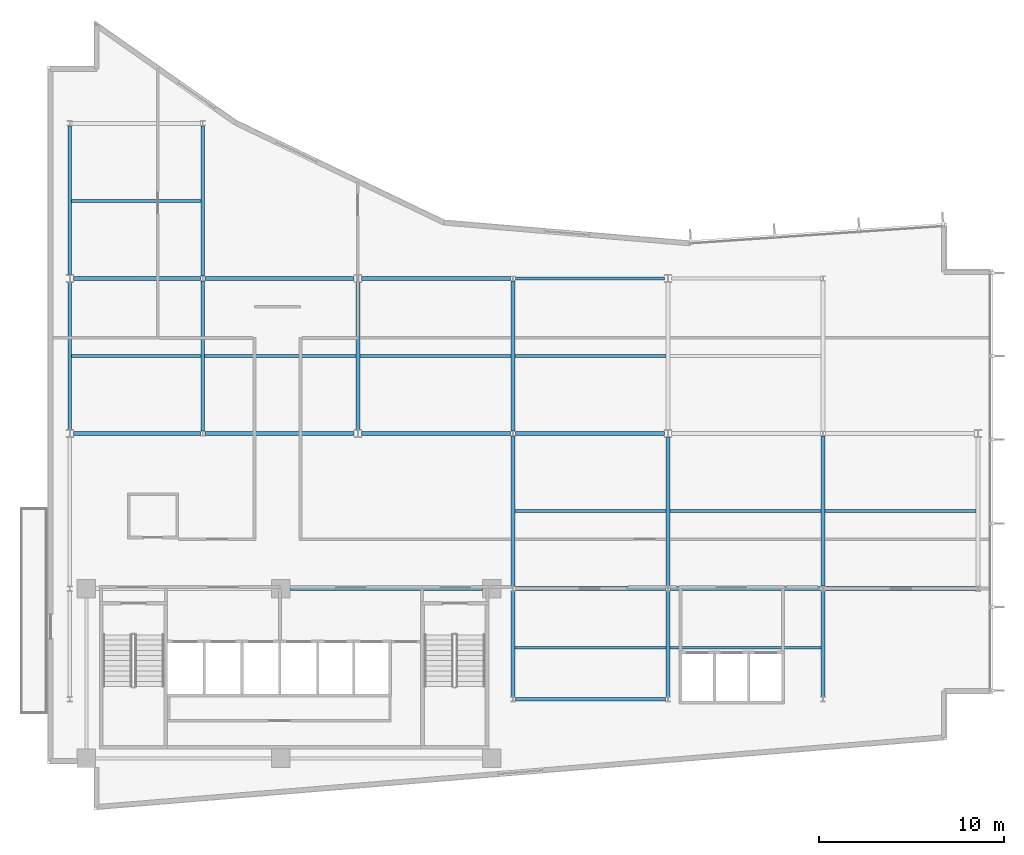
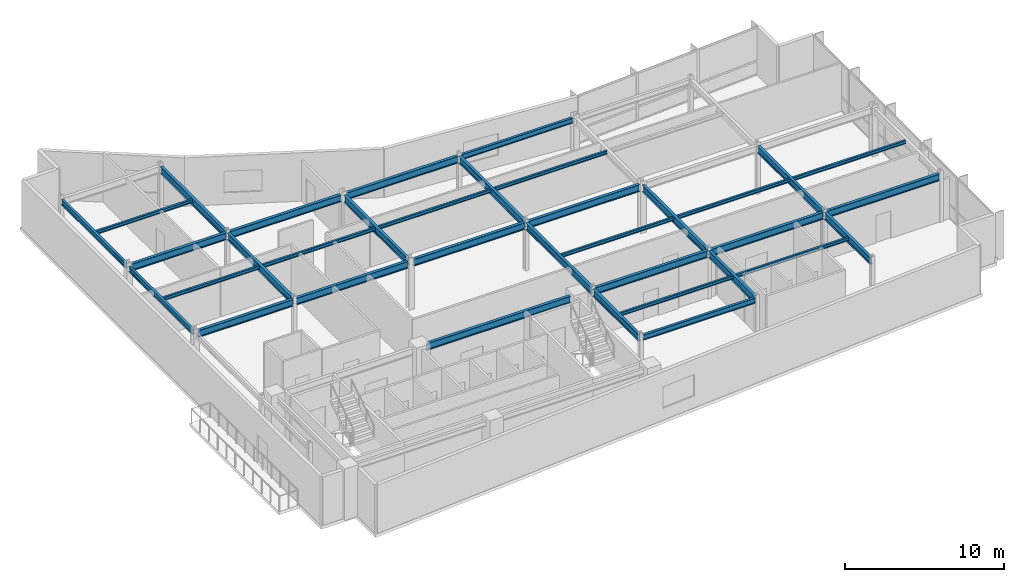
# One storey, part 4 of 16: 35 beams.
"""IFC4 building model written with IfcOpenShell, lengths in metres."""

from ifc_helpers import new_model, si_unit, direction, frame, origin, origin_2d, place, context, subcontext, project, spatial, i_section, extrude, material, material_profile, profile_set, type_object, element, save


model = new_model("IFC4")

# Units and contexts
model_context = context("Model", 3, precision=1e-05, world=origin(), true_north=direction((0.0, 1.0)))
body_context = subcontext(model_context, "Body", "Model", "MODEL_VIEW")
ifc_project = project(units=[si_unit("LENGTHUNIT", "METRE"), si_unit("AREAUNIT", "SQUARE_METRE"), si_unit("VOLUMEUNIT", "CUBIC_METRE"), si_unit("PLANEANGLEUNIT", "RADIAN"), si_unit("MASSUNIT", "GRAM", prefix="KILO")], contexts=[model_context])

# Site, building, storey
site_placement = place(None, origin())
site = spatial("IfcSite", under=ifc_project, at=site_placement, CompositionType="ELEMENT")
building_placement = place(site_placement, origin())
building = spatial("IfcBuilding", under=site, at=building_placement, Name="Varnakote Quay Hospital", CompositionType="ELEMENT")
storey_placement = place(building_placement, frame((0.0, 0.0, 180.25)))
storey = spatial("IfcBuildingStorey", under=building, at=storey_placement, Name="L44", CompositionType="ELEMENT", Elevation=180.25)

# Beams
ifc_material_1 = material(Name="Structural steel AS/NZS 3679.1 Grade 350 L0 (fy 340 MPa)", Category="steel")
ifc_material_profile_1 = material_profile(ifc_material_1, i_section(OverallWidth=0.208984375, OverallDepth=0.532958984375, WebThickness=0.01025390625, FlangeThickness=0.015625, FilletRadius=0.013916015625, at=origin_2d()), Name="530UB92.4")
ifc_profile_set_1 = profile_set([ifc_material_profile_1], Name="Structural steel AS/NZS 3679.1 Grade 350 L0 (fy 340 MPa)")
beam_type_1 = type_object("IfcBeamType", Name="BM-STL-530UB92-4", PredefinedType="BEAM", material=ifc_profile_set_1)
beam_1_placement = place(storey_placement, frame((13.1201171875, 12.0, 3.443603515625), z_axis=(1.0, 0.0, 0.0), x_axis=(0.0, 1.0, 0.0)))
element("IfcBeam", 1, at=beam_1_placement, inside=storey, type_object=beam_type_1, Name="L44 Primary Floor Beam", PredefinedType="BEAM", context=body_context, shape_type="SweptSolid", body=[
    extrude(i_section(OverallWidth=0.208984375, OverallDepth=0.532958984375, WebThickness=0.01025390625, FlangeThickness=0.015625, FilletRadius=0.013916015625, at=origin_2d()), origin(), (0.0, 0.0, 1.0), 10.429931640625),
])
for number, where, z_axis, x_axis, name in (
    (2, (25.327880859375, 12.0, 3.443603515625), (1.0, 0.0, 0.0), (0.0, 1.0, 0.0), "L44 Primary Floor Beam"),
    (3, (33.72802734375, 12.0, 3.443603515625), (1.0, 0.0, 0.0), (0.0, 1.0, 0.0), "L44 Primary Floor Beam"),
    (4, (42.1279296875, 12.0, 3.443603515625), (1.0, 0.0, 0.0), (0.0, 1.0, 0.0), "L44 Primary Floor Beam"),
):
    element("IfcBeam", number, at=place(storey_placement, frame(where, z_axis=z_axis, x_axis=x_axis)), inside=storey, type_object=beam_type_1, Name=name, PredefinedType="BEAM", context=body_context, shape_type="SweptSolid", body=[
        extrude(i_section(OverallWidth=0.208984375, OverallDepth=0.532958984375, WebThickness=0.01025390625, FlangeThickness=0.015625, FilletRadius=0.013916015625, at=origin_2d()), origin(), (0.0, 0.0, 1.0), 8.14404296875),
    ])
beam_2_placement = place(storey_placement, frame((1.39990234375, 20.39990234375, 3.443603515625), z_axis=(1.0, 0.0, 0.0), x_axis=(0.0, 1.0, 0.0)))
element("IfcBeam", 5, at=beam_2_placement, inside=storey, type_object=beam_type_1, Name="L44 Primary Floor Beam", PredefinedType="BEAM", context=body_context, shape_type="SweptSolid", body=[
    extrude(i_section(OverallWidth=0.208984375, OverallDepth=0.532958984375, WebThickness=0.01025390625, FlangeThickness=0.015625, FilletRadius=0.013916015625, at=origin_2d()), origin(), (0.0, 0.0, 1.0), 6.8720703125),
])
for number, where, z_axis, x_axis, name in (
    (6, (8.528076171875, 20.39990234375, 3.443603515625), (1.0, 0.0, 0.0), (0.0, 1.0, 0.0), "L44 Primary Floor Beam"),
    (7, (17.0, 20.39990234375, 3.443603515625), (1.0, 0.0, 0.0), (0.0, 1.0, 0.0), "L44 Primary Floor Beam"),
    (8, (25.327880859375, 20.39990234375, 3.443603515625), (1.0, 0.0, 0.0), (0.0, 1.0, 0.0), "L44 Primary Floor Beam"),
):
    element("IfcBeam", number, at=place(storey_placement, frame(where, z_axis=z_axis, x_axis=x_axis)), inside=storey, type_object=beam_type_1, Name=name, PredefinedType="BEAM", context=body_context, shape_type="SweptSolid", body=[
        extrude(i_section(OverallWidth=0.208984375, OverallDepth=0.532958984375, WebThickness=0.01025390625, FlangeThickness=0.015625, FilletRadius=0.013916015625, at=origin_2d()), origin(), (0.0, 0.0, 1.0), 8.072021484375),
    ])
beam_3_placement = place(storey_placement, frame((1.39990234375, 28.800048828125, 3.443603515625), z_axis=(1.0, 0.0, 0.0), x_axis=(0.0, 1.0, 0.0)))
element("IfcBeam", 9, at=beam_3_placement, inside=storey, type_object=beam_type_1, Name="L44 Primary Floor Beam", PredefinedType="BEAM", context=body_context, shape_type="SweptSolid", body=[
    extrude(i_section(OverallWidth=0.208984375, OverallDepth=0.532958984375, WebThickness=0.01025390625, FlangeThickness=0.015625, FilletRadius=0.013916015625, at=origin_2d()), origin(), (0.0, 0.0, 1.0), 6.8720703125),
])
for number, where, z_axis, x_axis, name in (
    (10, (8.528076171875, 28.800048828125, 3.443603515625), (1.0, 0.0, 0.0), (0.0, 1.0, 0.0), "L44 Primary Floor Beam"),
    (11, (17.0, 28.800048828125, 3.443603515625), (1.0, 0.0, 0.0), (0.0, 1.0, 0.0), "L44 Primary Floor Beam"),
):
    element("IfcBeam", number, at=place(storey_placement, frame(where, z_axis=z_axis, x_axis=x_axis)), inside=storey, type_object=beam_type_1, Name=name, PredefinedType="BEAM", context=body_context, shape_type="SweptSolid", body=[
        extrude(i_section(OverallWidth=0.208984375, OverallDepth=0.532958984375, WebThickness=0.01025390625, FlangeThickness=0.015625, FilletRadius=0.013916015625, at=origin_2d()), origin(), (0.0, 0.0, 1.0), 8.072021484375),
    ])
beam_4_placement = place(storey_placement, frame((8.39990234375, 20.530029296875, 3.443603515625), z_axis=(0.0, 1.0, 0.0), x_axis=(-1.0, 0.0, 0.0)))
element("IfcBeam", 12, at=beam_4_placement, inside=storey, type_object=beam_type_1, Name="L44 Primary Tie Beam", PredefinedType="BEAM", context=body_context, shape_type="SweptSolid", body=[
    extrude(i_section(OverallWidth=0.208984375, OverallDepth=0.532958984375, WebThickness=0.01025390625, FlangeThickness=0.015625, FilletRadius=0.013916015625, at=origin_2d()), origin(), (0.0, 0.0, 1.0), 8.139892578125),
])
beam_5_placement = place(storey_placement, frame((8.39990234375, 28.929931640625, 3.443603515625), z_axis=(0.0, 1.0, 0.0), x_axis=(-1.0, 0.0, 0.0)))
element("IfcBeam", 13, at=beam_5_placement, inside=storey, type_object=beam_type_1, Name="L44 Primary Tie Beam", PredefinedType="BEAM", context=body_context, shape_type="SweptSolid", body=[
    extrude(i_section(OverallWidth=0.208984375, OverallDepth=0.532958984375, WebThickness=0.01025390625, FlangeThickness=0.015625, FilletRadius=0.013916015625, at=origin_2d()), origin(), (0.0, 0.0, 1.0), 8.14013671875),
])
beam_6_placement = place(storey_placement, frame((16.800048828125, 20.60205078125, 3.443603515625), z_axis=(0.0, 1.0, 0.0), x_axis=(-1.0, 0.0, 0.0)))
element("IfcBeam", 14, at=beam_6_placement, inside=storey, type_object=beam_type_1, Name="L44 Primary Tie Beam", PredefinedType="BEAM", context=body_context, shape_type="SweptSolid", body=[
    extrude(i_section(OverallWidth=0.208984375, OverallDepth=0.532958984375, WebThickness=0.01025390625, FlangeThickness=0.015625, FilletRadius=0.013916015625, at=origin_2d()), origin(), (0.0, 0.0, 1.0), 7.995849609375),
])
beam_7_placement = place(storey_placement, frame((25.199951171875, 6.1298828125, 3.443603515625), z_axis=(0.0, 1.0, 0.0), x_axis=(-1.0, 0.0, 0.0)))
element("IfcBeam", 15, at=beam_7_placement, inside=storey, type_object=beam_type_1, Name="L44 Primary Tie Beam", PredefinedType="BEAM", context=body_context, shape_type="SweptSolid", body=[
    extrude(i_section(OverallWidth=0.208984375, OverallDepth=0.532958984375, WebThickness=0.01025390625, FlangeThickness=0.015625, FilletRadius=0.013916015625, at=origin_2d()), origin(), (0.0, 0.0, 1.0), 5.740234375),
])
beam_8_placement = place(storey_placement, frame((25.199951171875, 12.1298828125, 3.443603515625), z_axis=(0.0, 1.0, 0.0), x_axis=(-1.0, 0.0, 0.0)))
element("IfcBeam", 16, at=beam_8_placement, inside=storey, type_object=beam_type_1, Name="L44 Primary Tie Beam", PredefinedType="BEAM", context=body_context, shape_type="SweptSolid", body=[
    extrude(i_section(OverallWidth=0.208984375, OverallDepth=0.532958984375, WebThickness=0.01025390625, FlangeThickness=0.015625, FilletRadius=0.013916015625, at=origin_2d()), origin(), (0.0, 0.0, 1.0), 8.14013671875),
])
beam_9_placement = place(storey_placement, frame((25.199951171875, 20.530029296875, 3.443603515625), z_axis=(0.0, 1.0, 0.0), x_axis=(-1.0, 0.0, 0.0)))
element("IfcBeam", 17, at=beam_9_placement, inside=storey, type_object=beam_type_1, Name="L44 Primary Tie Beam", PredefinedType="BEAM", context=body_context, shape_type="SweptSolid", body=[
    extrude(i_section(OverallWidth=0.208984375, OverallDepth=0.532958984375, WebThickness=0.01025390625, FlangeThickness=0.015625, FilletRadius=0.013916015625, at=origin_2d()), origin(), (0.0, 0.0, 1.0), 8.139892578125),
])
beam_10_placement = place(storey_placement, frame((33.60009765625, 6.1298828125, 3.443603515625), z_axis=(0.0, 1.0, 0.0), x_axis=(-1.0, 0.0, 0.0)))
element("IfcBeam", 18, at=beam_10_placement, inside=storey, type_object=beam_type_1, Name="L44 Primary Tie Beam", PredefinedType="BEAM", context=body_context, shape_type="SweptSolid", body=[
    extrude(i_section(OverallWidth=0.208984375, OverallDepth=0.532958984375, WebThickness=0.01025390625, FlangeThickness=0.015625, FilletRadius=0.013916015625, at=origin_2d()), origin(), (0.0, 0.0, 1.0), 5.740234375),
])
beam_11_placement = place(storey_placement, frame((33.60009765625, 12.1298828125, 3.443603515625), z_axis=(0.0, 1.0, 0.0), x_axis=(-1.0, 0.0, 0.0)))
element("IfcBeam", 19, at=beam_11_placement, inside=storey, type_object=beam_type_1, Name="L44 Primary Tie Beam", PredefinedType="BEAM", context=body_context, shape_type="SweptSolid", body=[
    extrude(i_section(OverallWidth=0.208984375, OverallDepth=0.532958984375, WebThickness=0.01025390625, FlangeThickness=0.015625, FilletRadius=0.013916015625, at=origin_2d()), origin(), (0.0, 0.0, 1.0), 8.068115234375),
])
beam_12_placement = place(storey_placement, frame((42.0, 6.1298828125, 3.443603515625), z_axis=(0.0, 1.0, 0.0), x_axis=(-1.0, 0.0, 0.0)))
element("IfcBeam", 20, at=beam_12_placement, inside=storey, type_object=beam_type_1, Name="L44 Primary Tie Beam", PredefinedType="BEAM", context=body_context, shape_type="SweptSolid", body=[
    extrude(i_section(OverallWidth=0.208984375, OverallDepth=0.532958984375, WebThickness=0.01025390625, FlangeThickness=0.015625, FilletRadius=0.013916015625, at=origin_2d()), origin(), (0.0, 0.0, 1.0), 5.740234375),
])
beam_13_placement = place(storey_placement, frame((42.0, 12.1298828125, 3.443603515625), z_axis=(0.0, 1.0, 0.0), x_axis=(-1.0, 0.0, 0.0)))
element("IfcBeam", 21, at=beam_13_placement, inside=storey, type_object=beam_type_1, Name="L44 Primary Tie Beam", PredefinedType="BEAM", context=body_context, shape_type="SweptSolid", body=[
    extrude(i_section(OverallWidth=0.208984375, OverallDepth=0.532958984375, WebThickness=0.01025390625, FlangeThickness=0.015625, FilletRadius=0.013916015625, at=origin_2d()), origin(), (0.0, 0.0, 1.0), 8.14013671875),
])
ifc_material_2 = material(Name="Structural steel AS/NZS 3679.1 Grade 350 L0 (fy 340 MPa)", Category="steel")
ifc_material_profile_2 = material_profile(ifc_material_2, i_section(OverallWidth=0.14599609375, OverallDepth=0.256103515625, WebThickness=0.00634765625, FlangeThickness=0.010986328125, FilletRadius=0.0087890625, at=origin_2d()), Name="250UB37.3")
ifc_profile_set_2 = profile_set([ifc_material_profile_2], Name="Structural steel AS/NZS 3679.1 Grade 350 L0 (fy 340 MPa)")
beam_type_2 = type_object("IfcBeamType", Name="JST-STL-250UB37-3", PredefinedType="JOIST", material=ifc_profile_set_2)
beam_14_placement = place(storey_placement, frame((25.304443359375, 8.800048828125, 3.58203125), z_axis=(1.0, 0.0, 0.0), x_axis=(0.0, 1.0, 0.0)))
element("IfcBeam", 22, at=beam_14_placement, inside=storey, type_object=beam_type_2, Name="L44 Composite Floor Joist", PredefinedType="JOIST", context=body_context, shape_type="SweptSolid", body=[
    extrude(i_section(OverallWidth=0.14599609375, OverallDepth=0.256103515625, WebThickness=0.00634765625, FlangeThickness=0.010986328125, FilletRadius=0.0087890625, at=origin_2d()), origin(), (0.0, 0.0, 1.0), 8.191162109375),
])
beam_15_placement = place(storey_placement, frame((33.70458984375, 8.800048828125, 3.58203125), z_axis=(1.0, 0.0, 0.0), x_axis=(0.0, 1.0, 0.0)))
element("IfcBeam", 23, at=beam_15_placement, inside=storey, type_object=beam_type_2, Name="L44 Composite Floor Joist", PredefinedType="JOIST", context=body_context, shape_type="SweptSolid", body=[
    extrude(i_section(OverallWidth=0.14599609375, OverallDepth=0.256103515625, WebThickness=0.00634765625, FlangeThickness=0.010986328125, FilletRadius=0.0087890625, at=origin_2d()), origin(), (0.0, 0.0, 1.0), 8.19091796875),
])
beam_16_placement = place(storey_placement, frame((25.304443359375, 16.199951171875, 3.58203125), z_axis=(1.0, 0.0, 0.0), x_axis=(0.0, 1.0, 0.0)))
element("IfcBeam", 24, at=beam_16_placement, inside=storey, type_object=beam_type_2, Name="L44 Composite Floor Joist", PredefinedType="JOIST", context=body_context, shape_type="SweptSolid", body=[
    extrude(i_section(OverallWidth=0.14599609375, OverallDepth=0.256103515625, WebThickness=0.00634765625, FlangeThickness=0.010986328125, FilletRadius=0.0087890625, at=origin_2d()), origin(), (0.0, 0.0, 1.0), 8.191162109375),
])
for number, where, z_axis, x_axis, name in (
    (25, (33.70458984375, 16.199951171875, 3.58203125), (1.0, 0.0, 0.0), (0.0, 1.0, 0.0), "L44 Composite Floor Joist"),
    (26, (42.1044921875, 16.199951171875, 3.58203125), (1.0, 0.0, 0.0), (0.0, 1.0, 0.0), "L44 Composite Floor Joist"),
):
    element("IfcBeam", number, at=place(storey_placement, frame(where, z_axis=z_axis, x_axis=x_axis)), inside=storey, type_object=beam_type_2, Name=name, PredefinedType="JOIST", context=body_context, shape_type="SweptSolid", body=[
        extrude(i_section(OverallWidth=0.14599609375, OverallDepth=0.256103515625, WebThickness=0.00634765625, FlangeThickness=0.010986328125, FilletRadius=0.0087890625, at=origin_2d()), origin(), (0.0, 0.0, 1.0), 8.19091796875),
    ])
beam_17_placement = place(storey_placement, frame((1.2890625, 24.60009765625, 3.58203125), z_axis=(1.0, 0.0, 0.0), x_axis=(0.0, 1.0, 0.0)))
element("IfcBeam", 27, at=beam_17_placement, inside=storey, type_object=beam_type_2, Name="L44 Composite Floor Joist", PredefinedType="JOIST", context=body_context, shape_type="SweptSolid", body=[
    extrude(i_section(OverallWidth=0.14599609375, OverallDepth=0.256103515625, WebThickness=0.00634765625, FlangeThickness=0.010986328125, FilletRadius=0.0087890625, at=origin_2d()), origin(), (0.0, 0.0, 1.0), 7.00634765625),
])
beam_18_placement = place(storey_placement, frame((8.50439453125, 24.60009765625, 3.58203125), z_axis=(1.0, 0.0, 0.0), x_axis=(0.0, 1.0, 0.0)))
element("IfcBeam", 28, at=beam_18_placement, inside=storey, type_object=beam_type_2, Name="L44 Composite Floor Joist", PredefinedType="JOIST", context=body_context, shape_type="SweptSolid", body=[
    extrude(i_section(OverallWidth=0.14599609375, OverallDepth=0.256103515625, WebThickness=0.00634765625, FlangeThickness=0.010986328125, FilletRadius=0.0087890625, at=origin_2d()), origin(), (0.0, 0.0, 1.0), 8.191162109375),
])
beam_19_placement = place(storey_placement, frame((16.904541015625, 24.60009765625, 3.58203125), z_axis=(1.0, 0.0, 0.0), x_axis=(0.0, 1.0, 0.0)))
element("IfcBeam", 29, at=beam_19_placement, inside=storey, type_object=beam_type_2, Name="L44 Composite Floor Joist", PredefinedType="JOIST", context=body_context, shape_type="SweptSolid", body=[
    extrude(i_section(OverallWidth=0.14599609375, OverallDepth=0.256103515625, WebThickness=0.00634765625, FlangeThickness=0.010986328125, FilletRadius=0.0087890625, at=origin_2d()), origin(), (0.0, 0.0, 1.0), 8.19091796875),
])
beam_20_placement = place(storey_placement, frame((25.304443359375, 24.60009765625, 3.58203125), z_axis=(1.0, 0.0, 0.0), x_axis=(0.0, 1.0, 0.0)))
element("IfcBeam", 30, at=beam_20_placement, inside=storey, type_object=beam_type_2, Name="L44 Composite Floor Joist", PredefinedType="JOIST", context=body_context, shape_type="SweptSolid", body=[
    extrude(i_section(OverallWidth=0.14599609375, OverallDepth=0.256103515625, WebThickness=0.00634765625, FlangeThickness=0.010986328125, FilletRadius=0.0087890625, at=origin_2d()), origin(), (0.0, 0.0, 1.0), 8.191162109375),
])
beam_21_placement = place(storey_placement, frame((1.2890625, 33.0, 3.58203125), z_axis=(1.0, 0.0, 0.0), x_axis=(0.0, 1.0, 0.0)))
element("IfcBeam", 31, at=beam_21_placement, inside=storey, type_object=beam_type_2, Name="L44 Composite Floor Joist", PredefinedType="JOIST", context=body_context, shape_type="SweptSolid", body=[
    extrude(i_section(OverallWidth=0.14599609375, OverallDepth=0.256103515625, WebThickness=0.00634765625, FlangeThickness=0.010986328125, FilletRadius=0.0087890625, at=origin_2d()), origin(), (0.0, 0.0, 1.0), 7.00634765625),
])
ifc_material_3 = material(Name="Structural steel AS/NZS 3679.1 Grade 350 L0 (fy 340 MPa)", Category="steel")
ifc_material_profile_3 = material_profile(ifc_material_3, i_section(OverallWidth=0.177978515625, OverallDepth=0.403076171875, WebThickness=0.007568359375, FlangeThickness=0.010986328125, FilletRadius=0.011474609375, at=origin_2d()), Name="410UB53.7")
ifc_profile_set_3 = profile_set([ifc_material_profile_3], Name="Structural steel AS/NZS 3679.1 Grade 350 L0 (fy 340 MPa)")
beam_type_3 = type_object("IfcBeamType", Name="SPN-STL-410UB53-7", PredefinedType="SPANDREL", material=ifc_profile_set_3)
beam_22_placement = place(storey_placement, frame((1.199951171875, 20.60205078125, 3.508544921875), z_axis=(0.0, 1.0, 0.0), x_axis=(-1.0, 0.0, 0.0)))
element("IfcBeam", 32, at=beam_22_placement, inside=storey, type_object=beam_type_3, Name="L44 Perimeter Spandrel Beam", PredefinedType="SPANDREL", context=body_context, shape_type="SweptSolid", body=[
    extrude(i_section(OverallWidth=0.177978515625, OverallDepth=0.403076171875, WebThickness=0.007568359375, FlangeThickness=0.010986328125, FilletRadius=0.011474609375, at=origin_2d()), origin(), (0.0, 0.0, 1.0), 7.995849609375),
])
beam_23_placement = place(storey_placement, frame((1.199951171875, 29.001953125, 3.508544921875), z_axis=(0.0, 1.0, 0.0), x_axis=(-1.0, 0.0, 0.0)))
element("IfcBeam", 33, at=beam_23_placement, inside=storey, type_object=beam_type_3, Name="L44 Perimeter Spandrel Beam", PredefinedType="SPANDREL", context=body_context, shape_type="SweptSolid", body=[
    extrude(i_section(OverallWidth=0.177978515625, OverallDepth=0.403076171875, WebThickness=0.007568359375, FlangeThickness=0.010986328125, FilletRadius=0.011474609375, at=origin_2d()), origin(), (0.0, 0.0, 1.0), 8.068115234375),
])
ifc_material_4 = material(Name="Structural steel AS/NZS 3679.1 Grade 350 L0 (fy 340 MPa)", Category="steel")
ifc_material_profile_4 = material_profile(ifc_material_4, i_section(OverallWidth=0.177978515625, OverallDepth=0.406005859375, WebThickness=0.0078125, FlangeThickness=0.0126953125, FilletRadius=0.011474609375, at=origin_2d()), Name="410UB59.7")
ifc_profile_set_4 = profile_set([ifc_material_profile_4], Name="Structural steel AS/NZS 3679.1 Grade 350 L0 (fy 340 MPa)")
beam_type_4 = type_object("IfcBeamType", Name="SPN-STL-410UB59-7", PredefinedType="SPANDREL", material=ifc_profile_set_4)
beam_24_placement = place(storey_placement, frame((25.327880859375, 6.0, 3.507080078125), z_axis=(1.0, 0.0, 0.0), x_axis=(0.0, 1.0, 0.0)))
element("IfcBeam", 34, at=beam_24_placement, inside=storey, type_object=beam_type_4, Name="L44 Perimeter Spandrel Beam", PredefinedType="SPANDREL", context=body_context, shape_type="SweptSolid", body=[
    extrude(i_section(OverallWidth=0.177978515625, OverallDepth=0.406005859375, WebThickness=0.0078125, FlangeThickness=0.0126953125, FilletRadius=0.011474609375, at=origin_2d()), origin(), (0.0, 0.0, 1.0), 8.14404296875),
])
beam_25_placement = place(storey_placement, frame((25.327880859375, 28.800048828125, 3.507080078125), z_axis=(1.0, 0.0, 0.0), x_axis=(0.0, 1.0, 0.0)))
element("IfcBeam", 35, at=beam_25_placement, inside=storey, type_object=beam_type_4, Name="L44 Perimeter Spandrel Beam", PredefinedType="SPANDREL", context=body_context, shape_type="SweptSolid", body=[
    extrude(i_section(OverallWidth=0.177978515625, OverallDepth=0.406005859375, WebThickness=0.0078125, FlangeThickness=0.0126953125, FilletRadius=0.011474609375, at=origin_2d()), origin(), (0.0, 0.0, 1.0), 8.072021484375),
])

save(model, "model.ifc")
